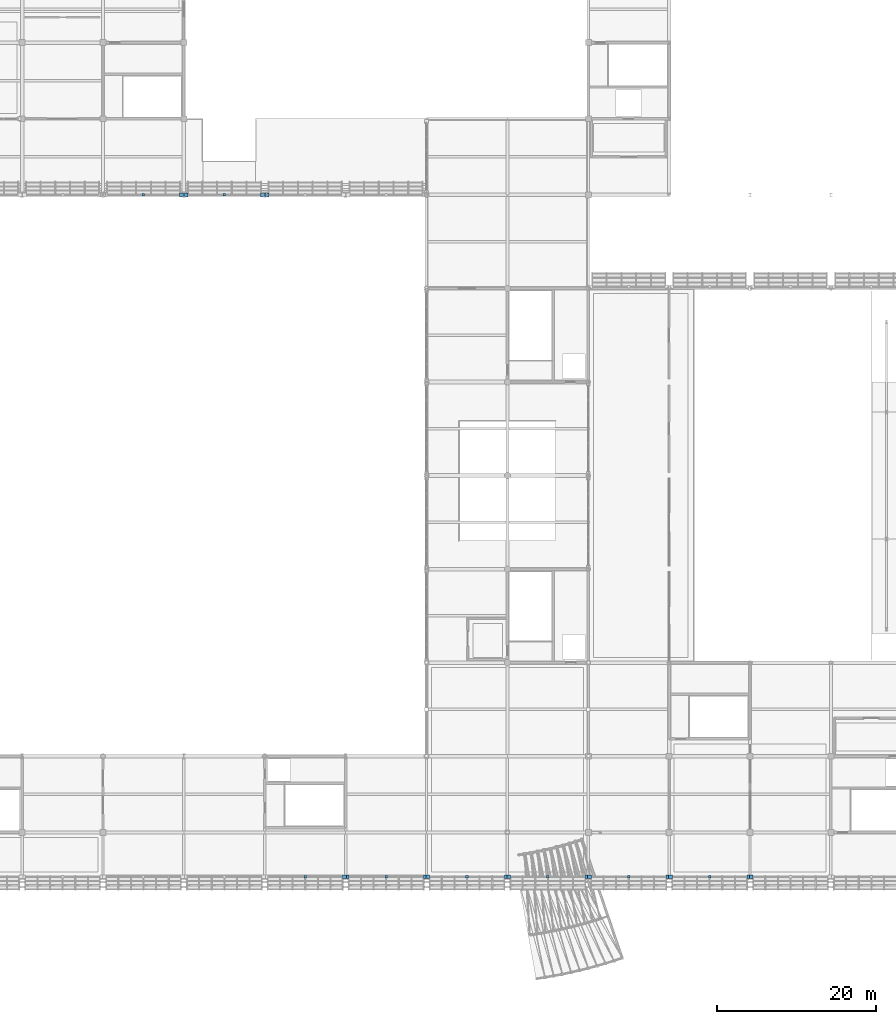
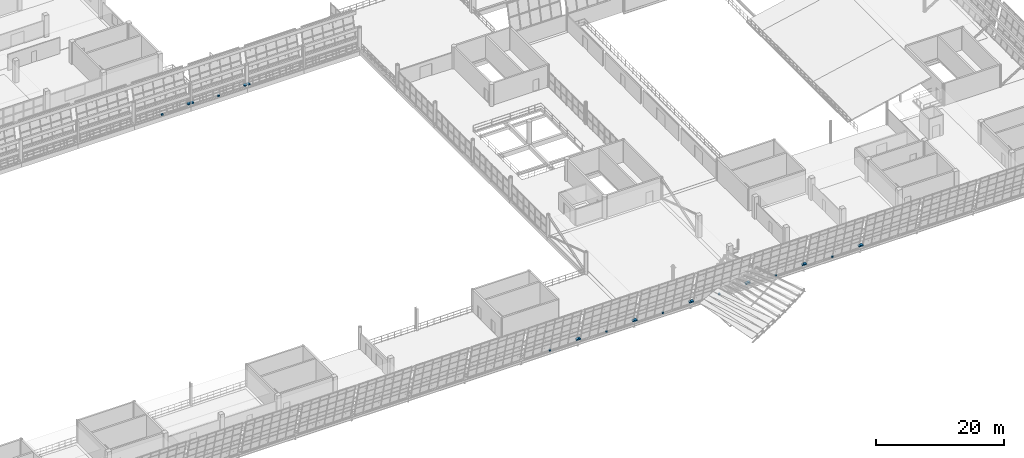
# One storey, part 139 of 157: 24 discrete accessories.
"""IFC4 building model written with IfcOpenShell, lengths in metres."""

from ifc_helpers import new_model, si_unit, direction, frame, origin, origin_2d, place, context, subcontext, project, spatial, rectangle, extrude, material, type_object, element, save


model = new_model("IFC4")

# Units and contexts
model_context = context("Model", 3, precision=1e-05, world=origin(), true_north=direction((0.0, 1.0)))
body_context = subcontext(model_context, "Body", "Model", "MODEL_VIEW")
ifc_project = project(units=[si_unit("LENGTHUNIT", "METRE"), si_unit("AREAUNIT", "SQUARE_METRE"), si_unit("VOLUMEUNIT", "CUBIC_METRE"), si_unit("PLANEANGLEUNIT", "RADIAN"), si_unit("MASSUNIT", "GRAM", prefix="KILO")], contexts=[model_context])

# Site, building, storey
site_placement = place(None, origin())
site = spatial("IfcSite", under=ifc_project, at=site_placement, CompositionType="ELEMENT")
building_placement = place(site_placement, origin())
building = spatial("IfcBuilding", under=site, at=building_placement, Name="Brelvane Convention Centre", CompositionType="ELEMENT")
storey_placement = place(building_placement, frame((0.0, 0.0, 10.800048828125)))
storey = spatial("IfcBuildingStorey", under=building, at=storey_placement, Name="L02", CompositionType="ELEMENT", Elevation=10.800048828125)

# Discrete accessories
ifc_material = material(Name="Steel E350 (350 MPa)", Category="steel")
discrete_accessory_type = type_object("IfcDiscreteAccessoryType", Name="Facade Outrigger Bracket BRK-02", PredefinedType="BRACKET", material=ifc_material)
discrete_accessory_1_placement = place(storey_placement, frame((132.43994140625, 13.60009765625, 0.22998046875), z_axis=(0.0, 0.0, 1.0), x_axis=(1.0, 0.0, 0.0)))
element("IfcDiscreteAccessory", 1, at=discrete_accessory_1_placement, inside=storey, type_object=discrete_accessory_type, Name="Curtain Wall Anchor Bracket L02-HULL-S-L02-13-R", PredefinedType="BRACKET", context=body_context, shape_type="SweptSolid", body=[
    extrude(rectangle(XDim=0.47998046875, YDim=0.47998046875, at=origin_2d()), origin(), (0.0, 0.0, 1.0), 0.239990234375),
])
discrete_accessory_2_placement = place(storey_placement, frame((127.5, 13.60009765625, -0.14013671875), z_axis=(0.0, 0.0, 1.0), x_axis=(1.0, 0.0, 0.0)))
element("IfcDiscreteAccessory", 2, at=discrete_accessory_2_placement, inside=storey, type_object=discrete_accessory_type, Name="Curtain Wall Anchor Bracket L02-HULL-S-L02-13-B", PredefinedType="BRACKET", context=body_context, shape_type="SweptSolid", body=[
    extrude(rectangle(XDim=0.320068359375, YDim=0.320068359375, at=origin_2d()), origin(), (0.0, 0.0, 1.0), 0.280029296875),
])
for number, where, z_axis, x_axis, name in (
    (3, (132.760009765625, 13.60009765625, 0.22998046875), (0.0, 0.0, 1.0), (1.0, 0.0, 0.0), "Curtain Wall Anchor Bracket L02-HULL-S-L02-14-L"),
    (4, (142.639892578125, 13.60009765625, 0.22998046875), (0.0, 0.0, 1.0), (1.0, 0.0, 0.0), "Curtain Wall Anchor Bracket L02-HULL-S-L02-14-R"),
):
    element("IfcDiscreteAccessory", number, at=place(storey_placement, frame(where, z_axis=z_axis, x_axis=x_axis)), inside=storey, type_object=discrete_accessory_type, Name=name, PredefinedType="BRACKET", context=body_context, shape_type="SweptSolid", body=[
        extrude(rectangle(XDim=0.47998046875, YDim=0.47998046875, at=origin_2d()), origin(), (0.0, 0.0, 1.0), 0.239990234375),
    ])
discrete_accessory_3_placement = place(storey_placement, frame((137.699951171875, 13.60009765625, -0.14013671875), z_axis=(0.0, 0.0, 1.0), x_axis=(1.0, 0.0, 0.0)))
element("IfcDiscreteAccessory", 5, at=discrete_accessory_3_placement, inside=storey, type_object=discrete_accessory_type, Name="Curtain Wall Anchor Bracket L02-HULL-S-L02-14-B", PredefinedType="BRACKET", context=body_context, shape_type="SweptSolid", body=[
    extrude(rectangle(XDim=0.320068359375, YDim=0.320068359375, at=origin_2d()), origin(), (0.0, 0.0, 1.0), 0.280029296875),
])
for number, where, z_axis, x_axis, name in (
    (6, (142.9599609375, 13.60009765625, 0.22998046875), (0.0, 0.0, 1.0), (1.0, 0.0, 0.0), "Curtain Wall Anchor Bracket L02-HULL-S-L02-15-L"),
    (7, (152.840087890625, 13.60009765625, 0.22998046875), (0.0, 0.0, 1.0), (1.0, 0.0, 0.0), "Curtain Wall Anchor Bracket L02-HULL-S-L02-15-R"),
):
    element("IfcDiscreteAccessory", number, at=place(storey_placement, frame(where, z_axis=z_axis, x_axis=x_axis)), inside=storey, type_object=discrete_accessory_type, Name=name, PredefinedType="BRACKET", context=body_context, shape_type="SweptSolid", body=[
        extrude(rectangle(XDim=0.47998046875, YDim=0.47998046875, at=origin_2d()), origin(), (0.0, 0.0, 1.0), 0.239990234375),
    ])
discrete_accessory_4_placement = place(storey_placement, frame((147.89990234375, 13.60009765625, -0.14013671875), z_axis=(0.0, 0.0, 1.0), x_axis=(1.0, 0.0, 0.0)))
element("IfcDiscreteAccessory", 8, at=discrete_accessory_4_placement, inside=storey, type_object=discrete_accessory_type, Name="Curtain Wall Anchor Bracket L02-HULL-S-L02-15-B", PredefinedType="BRACKET", context=body_context, shape_type="SweptSolid", body=[
    extrude(rectangle(XDim=0.320068359375, YDim=0.320068359375, at=origin_2d()), origin(), (0.0, 0.0, 1.0), 0.280029296875),
])
for number, where, z_axis, x_axis, name in (
    (9, (153.159912109375, 13.60009765625, 0.22998046875), (0.0, 0.0, 1.0), (1.0, 0.0, 0.0), "Curtain Wall Anchor Bracket L02-HULL-S-L02-16-L"),
    (10, (163.0400390625, 13.60009765625, 0.22998046875), (0.0, 0.0, 1.0), (1.0, 0.0, 0.0), "Curtain Wall Anchor Bracket L02-HULL-S-L02-16-R"),
):
    element("IfcDiscreteAccessory", number, at=place(storey_placement, frame(where, z_axis=z_axis, x_axis=x_axis)), inside=storey, type_object=discrete_accessory_type, Name=name, PredefinedType="BRACKET", context=body_context, shape_type="SweptSolid", body=[
        extrude(rectangle(XDim=0.47998046875, YDim=0.47998046875, at=origin_2d()), origin(), (0.0, 0.0, 1.0), 0.239990234375),
    ])
discrete_accessory_5_placement = place(storey_placement, frame((158.10009765625, 13.60009765625, -0.14013671875), z_axis=(0.0, 0.0, 1.0), x_axis=(1.0, 0.0, 0.0)))
element("IfcDiscreteAccessory", 11, at=discrete_accessory_5_placement, inside=storey, type_object=discrete_accessory_type, Name="Curtain Wall Anchor Bracket L02-HULL-S-L02-16-B", PredefinedType="BRACKET", context=body_context, shape_type="SweptSolid", body=[
    extrude(rectangle(XDim=0.320068359375, YDim=0.320068359375, at=origin_2d()), origin(), (0.0, 0.0, 1.0), 0.280029296875),
])
for number, where, z_axis, x_axis, name in (
    (12, (163.360107421875, 13.60009765625, 0.22998046875), (0.0, 0.0, 1.0), (1.0, 0.0, 0.0), "Curtain Wall Anchor Bracket L02-HULL-S-L02-17-L"),
    (13, (173.239990234375, 13.60009765625, 0.22998046875), (0.0, 0.0, 1.0), (1.0, 0.0, 0.0), "Curtain Wall Anchor Bracket L02-HULL-S-L02-17-R"),
):
    element("IfcDiscreteAccessory", number, at=place(storey_placement, frame(where, z_axis=z_axis, x_axis=x_axis)), inside=storey, type_object=discrete_accessory_type, Name=name, PredefinedType="BRACKET", context=body_context, shape_type="SweptSolid", body=[
        extrude(rectangle(XDim=0.47998046875, YDim=0.47998046875, at=origin_2d()), origin(), (0.0, 0.0, 1.0), 0.239990234375),
    ])
discrete_accessory_6_placement = place(storey_placement, frame((168.300048828125, 13.60009765625, -0.14013671875), z_axis=(0.0, 0.0, 1.0), x_axis=(1.0, 0.0, 0.0)))
element("IfcDiscreteAccessory", 14, at=discrete_accessory_6_placement, inside=storey, type_object=discrete_accessory_type, Name="Curtain Wall Anchor Bracket L02-HULL-S-L02-17-B", PredefinedType="BRACKET", context=body_context, shape_type="SweptSolid", body=[
    extrude(rectangle(XDim=0.320068359375, YDim=0.320068359375, at=origin_2d()), origin(), (0.0, 0.0, 1.0), 0.280029296875),
])
for number, where, z_axis, x_axis, name in (
    (15, (173.56005859375, 13.60009765625, 0.22998046875), (0.0, 0.0, 1.0), (1.0, 0.0, 0.0), "Curtain Wall Anchor Bracket L02-HULL-S-L02-18-L"),
    (16, (183.43994140625, 13.60009765625, 0.22998046875), (0.0, 0.0, 1.0), (1.0, 0.0, 0.0), "Curtain Wall Anchor Bracket L02-HULL-S-L02-18-R"),
):
    element("IfcDiscreteAccessory", number, at=place(storey_placement, frame(where, z_axis=z_axis, x_axis=x_axis)), inside=storey, type_object=discrete_accessory_type, Name=name, PredefinedType="BRACKET", context=body_context, shape_type="SweptSolid", body=[
        extrude(rectangle(XDim=0.47998046875, YDim=0.47998046875, at=origin_2d()), origin(), (0.0, 0.0, 1.0), 0.239990234375),
    ])
discrete_accessory_7_placement = place(storey_placement, frame((178.5, 13.60009765625, -0.14013671875), z_axis=(0.0, 0.0, 1.0), x_axis=(1.0, 0.0, 0.0)))
element("IfcDiscreteAccessory", 17, at=discrete_accessory_7_placement, inside=storey, type_object=discrete_accessory_type, Name="Curtain Wall Anchor Bracket L02-HULL-S-L02-18-B", PredefinedType="BRACKET", context=body_context, shape_type="SweptSolid", body=[
    extrude(rectangle(XDim=0.320068359375, YDim=0.320068359375, at=origin_2d()), origin(), (0.0, 0.0, 1.0), 0.280029296875),
])
for number, where, z_axis, x_axis, name in (
    (18, (183.760009765625, 13.60009765625, 0.22998046875), (0.0, 0.0, 1.0), (1.0, 0.0, 0.0), "Curtain Wall Anchor Bracket L02-HULL-S-L02-19-L"),
    (19, (111.909912109375, 99.60009765625, 0.22998046875), (0.0, 0.0, 1.0), (1.0, 0.0, 0.0), "Curtain Wall Anchor Bracket L02-V1N-HULL-11-R"),
):
    element("IfcDiscreteAccessory", number, at=place(storey_placement, frame(where, z_axis=z_axis, x_axis=x_axis)), inside=storey, type_object=discrete_accessory_type, Name=name, PredefinedType="BRACKET", context=body_context, shape_type="SweptSolid", body=[
        extrude(rectangle(XDim=0.47998046875, YDim=0.47998046875, at=origin_2d()), origin(), (0.0, 0.0, 1.0), 0.239990234375),
    ])
discrete_accessory_8_placement = place(storey_placement, frame((107.10009765625, 99.60009765625, -0.14013671875), z_axis=(0.0, 0.0, 1.0), x_axis=(1.0, 0.0, 0.0)))
element("IfcDiscreteAccessory", 20, at=discrete_accessory_8_placement, inside=storey, type_object=discrete_accessory_type, Name="Curtain Wall Anchor Bracket L02-V1N-HULL-11-B", PredefinedType="BRACKET", context=body_context, shape_type="SweptSolid", body=[
    extrude(rectangle(XDim=0.320068359375, YDim=0.320068359375, at=origin_2d()), origin(), (0.0, 0.0, 1.0), 0.280029296875),
])
for number, where, z_axis, x_axis, name in (
    (21, (112.489990234375, 99.60009765625, 0.22998046875), (0.0, 0.0, 1.0), (1.0, 0.0, 0.0), "Curtain Wall Anchor Bracket L02-V1N-HULL-12-L"),
    (22, (122.110107421875, 99.60009765625, 0.22998046875), (0.0, 0.0, 1.0), (1.0, 0.0, 0.0), "Curtain Wall Anchor Bracket L02-V1N-HULL-12-R"),
):
    element("IfcDiscreteAccessory", number, at=place(storey_placement, frame(where, z_axis=z_axis, x_axis=x_axis)), inside=storey, type_object=discrete_accessory_type, Name=name, PredefinedType="BRACKET", context=body_context, shape_type="SweptSolid", body=[
        extrude(rectangle(XDim=0.47998046875, YDim=0.47998046875, at=origin_2d()), origin(), (0.0, 0.0, 1.0), 0.239990234375),
    ])
discrete_accessory_9_placement = place(storey_placement, frame((117.300048828125, 99.60009765625, -0.14013671875), z_axis=(0.0, 0.0, 1.0), x_axis=(1.0, 0.0, 0.0)))
element("IfcDiscreteAccessory", 23, at=discrete_accessory_9_placement, inside=storey, type_object=discrete_accessory_type, Name="Curtain Wall Anchor Bracket L02-V1N-HULL-12-B", PredefinedType="BRACKET", context=body_context, shape_type="SweptSolid", body=[
    extrude(rectangle(XDim=0.320068359375, YDim=0.320068359375, at=origin_2d()), origin(), (0.0, 0.0, 1.0), 0.280029296875),
])
discrete_accessory_10_placement = place(storey_placement, frame((122.68994140625, 99.60009765625, 0.22998046875), z_axis=(0.0, 0.0, 1.0), x_axis=(1.0, 0.0, 0.0)))
element("IfcDiscreteAccessory", 24, at=discrete_accessory_10_placement, inside=storey, type_object=discrete_accessory_type, Name="Curtain Wall Anchor Bracket L02-V1N-HULL-13-L", PredefinedType="BRACKET", context=body_context, shape_type="SweptSolid", body=[
    extrude(rectangle(XDim=0.47998046875, YDim=0.47998046875, at=origin_2d()), origin(), (0.0, 0.0, 1.0), 0.239990234375),
])

save(model, "model.ifc")
